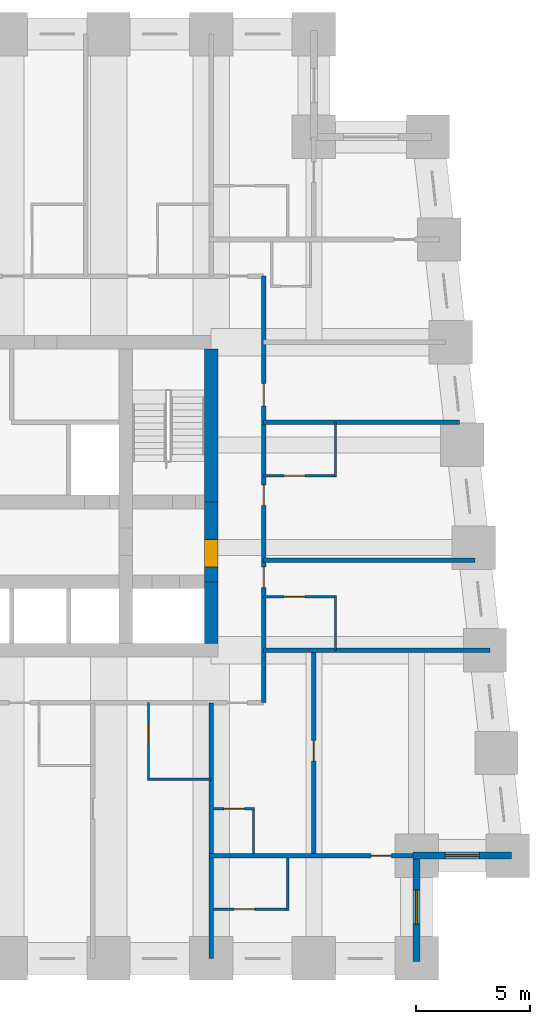
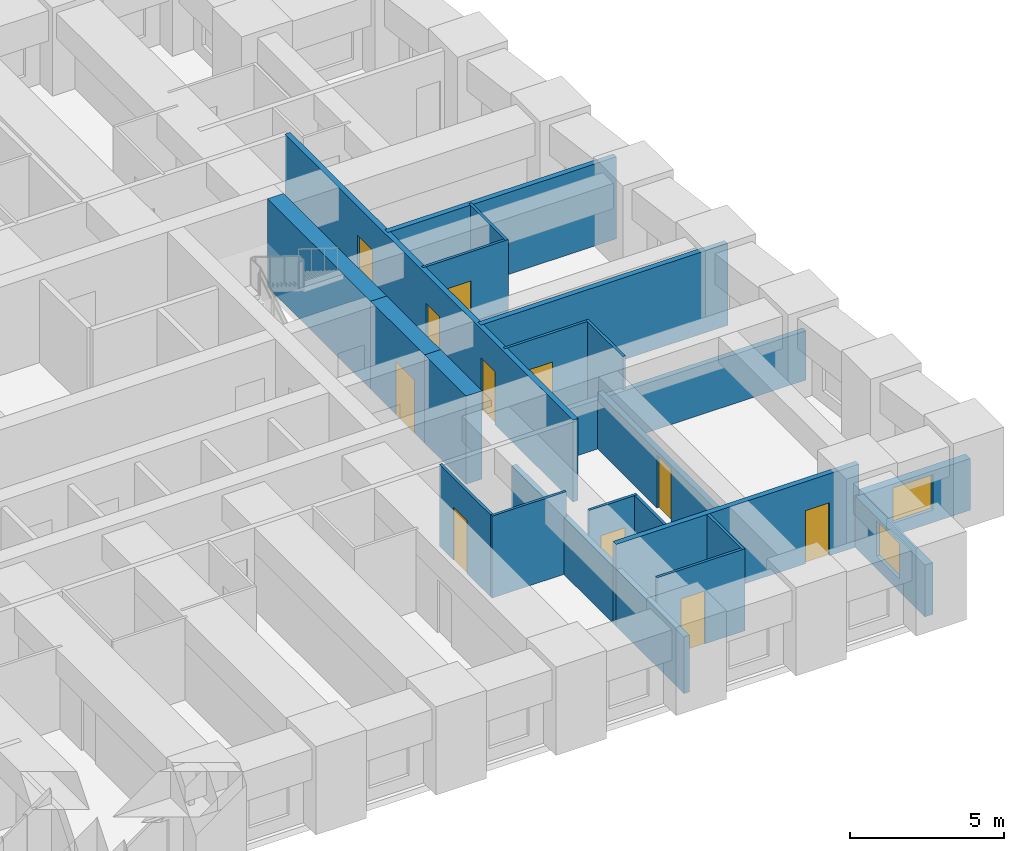
# One storey, part 5 of 8: 22 walls, 11 doors, 2 windows, 13 openings.
"""IFC4 building model written with IfcOpenShell, lengths in metres."""

from ifc_helpers import new_model, si_unit, direction, frame, frame_2d, origin, place, context, subcontext, project, spatial, rectangle, extrude, material, layer, layer_set, type_object, element, fill, save


model = new_model("IFC4")

# Units and contexts
model_context = context("Model", 3, precision=1e-05, world=origin(), true_north=direction((0.0, 1.0)))
body_context = subcontext(model_context, "Body", "Model", "MODEL_VIEW")
ifc_project = project(units=[si_unit("LENGTHUNIT", "METRE"), si_unit("AREAUNIT", "SQUARE_METRE"), si_unit("VOLUMEUNIT", "CUBIC_METRE"), si_unit("PLANEANGLEUNIT", "RADIAN"), si_unit("MASSUNIT", "GRAM", prefix="KILO")], contexts=[model_context])

# Site, building, storey
site_placement = place(None, origin())
site = spatial("IfcSite", under=ifc_project, at=site_placement, CompositionType="ELEMENT")
building_placement = place(site_placement, origin())
building = spatial("IfcBuilding", under=site, at=building_placement, Name="Kilele Tower Hotel", CompositionType="ELEMENT")
storey_placement = place(building_placement, frame((0.0, 0.0, 54.199951171875)))
storey = spatial("IfcBuildingStorey", under=building, at=storey_placement, Name="L12", CompositionType="ELEMENT", Elevation=54.199951171875)

# Wall
ifc_material_1 = material(Name="Moisture-resistant board")
ifc_layer_1 = layer(ifc_material_1, 0.10009765625)
ifc_layer_set_1 = layer_set([ifc_layer_1], Name="Moisture-resistant board")
wall_type_1 = type_object("IfcWallType", Name="Bathroom partition 100", PredefinedType="PLUMBINGWALL", material=ifc_layer_set_1)
wall_1_placement = place(storey_placement, frame((33.199951171875, 7.85009765625, 0.0), z_axis=(0.0, 0.0, 1.0), x_axis=(1.0, 0.0, 0.0)))
element("IfcWall", 1, at=wall_1_placement, inside=storey, type_object=wall_type_1, Name="Bathroom partition 100 L12", PredefinedType="PLUMBINGWALL", context=body_context, shape_type="SweptSolid", body=[
    extrude(rectangle(XDim=2.800048828125, YDim=0.10009765625, at=frame_2d((1.39990234375, 0.0))), origin(), (0.0, 0.0, 1.0), 3.25),
])

# Wall, opening, door
wall_2_placement = place(storey_placement, frame((33.25, 11.199951171875, 0.0), z_axis=(0.0, 0.0, 1.0), x_axis=(0.0, -1.0, 0.0)))
wall_2 = element("IfcWall", 2, at=wall_2_placement, inside=storey, type_object=wall_type_1, Name="Bathroom partition 100 L12", PredefinedType="PLUMBINGWALL", context=body_context, shape_type="SweptSolid", body=[
    extrude(rectangle(XDim=3.39990234375, YDim=0.10009765625, at=frame_2d((1.699951171875, 0.0))), origin(), (0.0, 0.0, 1.0), 3.25),
])
opening_1_placement = place(wall_2_placement, frame((1.7998046875, 0.0, 0.0), z_axis=(0.0, 0.0, 1.0), x_axis=(-1.0, 0.0, 0.0)))
opening_1 = element("IfcOpeningElement", 3, at=opening_1_placement, cuts=wall_2, Name="Opening D2A", PredefinedType="OPENING", context=body_context, shape_type="SweptSolid", body=[
    extrude(rectangle(XDim=0.89990234375, YDim=2.10009765625, at=frame_2d((0.449951171875, 1.050048828125))), frame((0.0, 0.06005859375, 0.0), z_axis=(0.0, -1.0, 0.0), x_axis=(1.0, 0.0, 0.0)), (0.0, 0.0, 1.0), 0.1201171875),
])
ifc_material_2 = material(Name="Timber door leaf in hardwood frame", Category="wood")
door_type_1 = type_object("IfcDoorType", Name="Bathroom door 900", OperationType="SINGLE_SWING_LEFT", PredefinedType="DOOR", material=ifc_material_2)
door_1_placement = place(opening_1_placement, origin())
door_1 = element("IfcDoor", 4, at=door_1_placement, inside=storey, type_object=door_type_1, Name="Bathroom door 1205B", OperationType="SINGLE_SWING_RIGHT", OverallHeight=2.10009765625, OverallWidth=0.89990234375, PredefinedType="DOOR", context=body_context, shape_type="SweptSolid", body=[
    extrude(rectangle(XDim=0.89990234375, YDim=2.10009765625, at=frame_2d((0.449951171875, 1.050048828125))), frame((0.0, 0.02490234375, 0.0), z_axis=(0.0, -1.0, 0.0), x_axis=(1.0, 0.0, 0.0)), (0.0, 0.0, 1.0), 0.050048828125),
])
fill(opening_1, door_1)

# Wall
wall_3_placement = place(storey_placement, frame((41.449951171875, 13.5, 0.0), z_axis=(0.0, 0.0, 1.0), x_axis=(0.0, 1.0, 0.0)))
element("IfcWall", 5, at=wall_3_placement, inside=storey, type_object=wall_type_1, Name="Bathroom partition 100 L12", PredefinedType="PLUMBINGWALL", context=body_context, shape_type="SweptSolid", body=[
    extrude(rectangle(XDim=2.39990234375, YDim=0.10009765625, at=frame_2d((1.199951171875, 0.0))), origin(), (0.0, 0.0, 1.0), 3.25),
])

# Wall, opening, door
wall_4_placement = place(storey_placement, frame((38.300048828125, 15.85009765625, 0.0), z_axis=(0.0, 0.0, 1.0), x_axis=(1.0, 0.0, 0.0)))
wall_4 = element("IfcWall", 6, at=wall_4_placement, inside=storey, type_object=wall_type_1, Name="Bathroom partition 100 L12", PredefinedType="PLUMBINGWALL", context=body_context, shape_type="SweptSolid", body=[
    extrude(rectangle(XDim=3.199951171875, YDim=0.10009765625, at=frame_2d((1.60009765625, 0.0))), origin(), (0.0, 0.0, 1.0), 3.25),
])
opening_2_placement = place(wall_4_placement, frame((0.89990234375, 0.0, 0.0)))
opening_2 = element("IfcOpeningElement", 7, at=opening_2_placement, cuts=wall_4, Name="Opening D2A", PredefinedType="OPENING", context=body_context, shape_type="SweptSolid", body=[
    extrude(rectangle(XDim=0.89990234375, YDim=2.10009765625, at=frame_2d((0.449951171875, 1.050048828125))), frame((0.0, 0.06005859375, 0.0), z_axis=(0.0, -1.0, 0.0), x_axis=(1.0, 0.0, 0.0)), (0.0, 0.0, 1.0), 0.1201171875),
])
door_2_placement = place(opening_2_placement, origin())
door_2 = element("IfcDoor", 8, at=door_2_placement, inside=storey, type_object=door_type_1, Name="Bathroom door 1206B", OperationType="SINGLE_SWING_LEFT", OverallHeight=2.10009765625, OverallWidth=0.89990234375, PredefinedType="DOOR", context=body_context, shape_type="SweptSolid", body=[
    extrude(rectangle(XDim=0.89990234375, YDim=2.10009765625, at=frame_2d((0.449951171875, 1.050048828125))), frame((0.0, 0.02490234375, 0.0), z_axis=(0.0, -1.0, 0.0), x_axis=(1.0, 0.0, 0.0)), (0.0, 0.0, 1.0), 0.050048828125),
])
fill(opening_2, door_2)

# Wall
wall_5_placement = place(storey_placement, frame((41.449951171875, 21.10009765625, 0.0), z_axis=(0.0, 0.0, 1.0), x_axis=(0.0, 1.0, 0.0)))
element("IfcWall", 9, at=wall_5_placement, inside=storey, type_object=wall_type_1, Name="Bathroom partition 100 L12", PredefinedType="PLUMBINGWALL", context=body_context, shape_type="SweptSolid", body=[
    extrude(rectangle(XDim=2.39990234375, YDim=0.10009765625, at=frame_2d((1.199951171875, 0.0))), origin(), (0.0, 0.0, 1.0), 3.25),
])

# Wall, opening, door
wall_6_placement = place(storey_placement, frame((38.300048828125, 21.14990234375, 0.0), z_axis=(0.0, 0.0, 1.0), x_axis=(1.0, 0.0, 0.0)))
wall_6 = element("IfcWall", 10, at=wall_6_placement, inside=storey, type_object=wall_type_1, Name="Bathroom partition 100 L12", PredefinedType="PLUMBINGWALL", context=body_context, shape_type="SweptSolid", body=[
    extrude(rectangle(XDim=3.199951171875, YDim=0.10009765625, at=frame_2d((1.60009765625, 0.0))), origin(), (0.0, 0.0, 1.0), 3.25),
])
opening_3_placement = place(wall_6_placement, frame((1.7998046875, 0.0, 0.0), z_axis=(0.0, 0.0, 1.0), x_axis=(-1.0, 0.0, 0.0)))
opening_3 = element("IfcOpeningElement", 11, at=opening_3_placement, cuts=wall_6, Name="Opening D2A", PredefinedType="OPENING", context=body_context, shape_type="SweptSolid", body=[
    extrude(rectangle(XDim=0.89990234375, YDim=2.10009765625, at=frame_2d((0.449951171875, 1.050048828125))), frame((0.0, 0.06005859375, 0.0), z_axis=(0.0, -1.0, 0.0), x_axis=(1.0, 0.0, 0.0)), (0.0, 0.0, 1.0), 0.1201171875),
])
door_3_placement = place(opening_3_placement, origin())
door_3 = element("IfcDoor", 12, at=door_3_placement, inside=storey, type_object=door_type_1, Name="Bathroom door 1207B", OperationType="SINGLE_SWING_RIGHT", OverallHeight=2.10009765625, OverallWidth=0.89990234375, PredefinedType="DOOR", context=body_context, shape_type="SweptSolid", body=[
    extrude(rectangle(XDim=0.89990234375, YDim=2.10009765625, at=frame_2d((0.449951171875, 1.050048828125))), frame((0.0, 0.02490234375, 0.0), z_axis=(0.0, -1.0, 0.0), x_axis=(1.0, 0.0, 0.0)), (0.0, 0.0, 1.0), 0.050048828125),
])
fill(opening_3, door_3)

# Wall
wall_7_placement = place(storey_placement, frame((37.85009765625, 4.60009765625, 0.0), z_axis=(0.0, 0.0, 1.0), x_axis=(0.0, 1.0, 0.0)))
element("IfcWall", 13, at=wall_7_placement, inside=storey, type_object=wall_type_1, Name="Bathroom partition 100 L12", PredefinedType="PLUMBINGWALL", context=body_context, shape_type="SweptSolid", body=[
    extrude(rectangle(XDim=2.0, YDim=0.10009765625, at=frame_2d((1.0, 0.0))), origin(), (0.0, 0.0, 1.0), 3.25),
])

# Wall, opening, door
wall_8_placement = place(storey_placement, frame((36.10009765625, 6.550048828125, 0.0), z_axis=(0.0, 0.0, 1.0), x_axis=(1.0, 0.0, 0.0)))
wall_8 = element("IfcWall", 14, at=wall_8_placement, inside=storey, type_object=wall_type_1, Name="Bathroom partition 100 L12", PredefinedType="PLUMBINGWALL", context=body_context, shape_type="SweptSolid", body=[
    extrude(rectangle(XDim=1.7998046875, YDim=0.10009765625, at=frame_2d((0.89990234375, 0.0))), origin(), (0.0, 0.0, 1.0), 3.25),
])
opening_4_placement = place(wall_8_placement, frame((0.449951171875, 0.0, 0.0)))
opening_4 = element("IfcOpeningElement", 15, at=opening_4_placement, cuts=wall_8, Name="Opening D2A", PredefinedType="OPENING", context=body_context, shape_type="SweptSolid", body=[
    extrude(rectangle(XDim=0.89990234375, YDim=2.10009765625, at=frame_2d((0.449951171875, 1.050048828125))), frame((0.0, 0.06005859375, 0.0), z_axis=(0.0, -1.0, 0.0), x_axis=(1.0, 0.0, 0.0)), (0.0, 0.0, 1.0), 0.1201171875),
])
door_4_placement = place(opening_4_placement, origin())
door_4 = element("IfcDoor", 16, at=door_4_placement, inside=storey, type_object=door_type_1, Name="Bathroom door 1220P", OperationType="SINGLE_SWING_LEFT", OverallHeight=2.10009765625, OverallWidth=0.89990234375, PredefinedType="DOOR", context=body_context, shape_type="SweptSolid", body=[
    extrude(rectangle(XDim=0.89990234375, YDim=2.10009765625, at=frame_2d((0.449951171875, 1.050048828125))), frame((0.0, 0.02490234375, 0.0), z_axis=(0.0, -1.0, 0.0), x_axis=(1.0, 0.0, 0.0)), (0.0, 0.0, 1.0), 0.050048828125),
])
fill(opening_4, door_4)

# Wall
wall_9_placement = place(storey_placement, frame((39.35009765625, 4.39990234375, 0.0), z_axis=(0.0, 0.0, 1.0), x_axis=(0.0, -1.0, 0.0)))
element("IfcWall", 17, at=wall_9_placement, inside=storey, type_object=wall_type_1, Name="Bathroom partition 100 L12", PredefinedType="PLUMBINGWALL", context=body_context, shape_type="SweptSolid", body=[
    extrude(rectangle(XDim=2.2998046875, YDim=0.10009765625, at=frame_2d((1.14990234375, 0.0))), origin(), (0.0, 0.0, 1.0), 3.25),
])

# Wall, opening, door
wall_10_placement = place(storey_placement, frame((36.10009765625, 2.14990234375, 0.0), z_axis=(0.0, 0.0, 1.0), x_axis=(1.0, 0.0, 0.0)))
wall_10 = element("IfcWall", 18, at=wall_10_placement, inside=storey, type_object=wall_type_1, Name="Bathroom partition 100 L12", PredefinedType="PLUMBINGWALL", context=body_context, shape_type="SweptSolid", body=[
    extrude(rectangle(XDim=3.2998046875, YDim=0.10009765625, at=frame_2d((1.64990234375, 0.0))), origin(), (0.0, 0.0, 1.0), 3.25),
])
opening_5_placement = place(wall_10_placement, frame((1.7998046875, 0.0, 0.0), z_axis=(0.0, 0.0, 1.0), x_axis=(-1.0, 0.0, 0.0)))
opening_5 = element("IfcOpeningElement", 19, at=opening_5_placement, cuts=wall_10, Name="Opening D2A", PredefinedType="OPENING", context=body_context, shape_type="SweptSolid", body=[
    extrude(rectangle(XDim=0.89990234375, YDim=2.10009765625, at=frame_2d((0.449951171875, 1.050048828125))), frame((0.0, 0.06005859375, 0.0), z_axis=(0.0, -1.0, 0.0), x_axis=(1.0, 0.0, 0.0)), (0.0, 0.0, 1.0), 0.1201171875),
])
door_5_placement = place(opening_5_placement, origin())
door_5 = element("IfcDoor", 20, at=door_5_placement, inside=storey, type_object=door_type_1, Name="Bathroom door 1222B", OperationType="SINGLE_SWING_RIGHT", OverallHeight=2.10009765625, OverallWidth=0.89990234375, PredefinedType="DOOR", context=body_context, shape_type="SweptSolid", body=[
    extrude(rectangle(XDim=0.89990234375, YDim=2.10009765625, at=frame_2d((0.449951171875, 1.050048828125))), frame((0.0, 0.02490234375, 0.0), z_axis=(0.0, -1.0, 0.0), x_axis=(1.0, 0.0, 0.0)), (0.0, 0.0, 1.0), 0.050048828125),
])
fill(opening_5, door_5)

# Wall
ifc_material_3 = material(Name="Concrete C60/75", Category="concrete")
ifc_layer_2 = layer(ifc_material_3, 0.60009765625)
ifc_layer_set_2 = layer_set([ifc_layer_2], Name="Concrete C60/75")
wall_type_2 = type_object("IfcWallType", Name="Core wall 600 C60/75", PredefinedType="SHEAR", material=ifc_layer_set_2)
wall_11_placement = place(storey_placement, frame((36.0, 13.800048828125, 0.0), z_axis=(0.0, 0.0, 1.0), x_axis=(0.0, 1.0, 0.0)))
element("IfcWall", 21, at=wall_11_placement, inside=storey, type_object=wall_type_2, Name="Core wall E1 L12", PredefinedType="SHEAR", context=body_context, shape_type="SweptSolid", body=[
    extrude(rectangle(XDim=2.699951171875, YDim=0.60009765625, at=frame_2d((1.35009765625, 0.0))), origin(), (0.0, 0.0, 1.0), 3.5),
])

# Wall, opening, door
wall_12_placement = place(storey_placement, frame((36.0, 16.5, 0.0), z_axis=(0.0, 0.0, 1.0), x_axis=(0.0, 1.0, 0.0)))
wall_12 = element("IfcWall", 22, at=wall_12_placement, inside=storey, type_object=wall_type_2, Name="Core wall E2 L12", PredefinedType="SHEAR", context=body_context, shape_type="SweptSolid", body=[
    extrude(rectangle(XDim=3.5, YDim=0.60009765625, at=frame_2d((1.75, 0.0))), origin(), (0.0, 0.0, 1.0), 3.5),
])
opening_6_placement = place(wall_12_placement, frame((0.64990234375, 0.0, 0.0)))
opening_6 = element("IfcOpeningElement", 23, at=opening_6_placement, cuts=wall_12, Name="Opening D4", PredefinedType="OPENING", context=body_context, shape_type="SweptSolid", body=[
    extrude(rectangle(XDim=1.199951171875, YDim=2.10009765625, at=frame_2d((0.60009765625, 1.050048828125))), frame((0.0, 0.31005859375, 0.0), z_axis=(0.0, -1.0, 0.0), x_axis=(1.0, 0.0, 0.0)), (0.0, 0.0, 1.0), 0.6201171875),
])
ifc_material_4 = material(Name="Timber door leaf in hardwood frame", Category="wood")
door_type_2 = type_object("IfcDoorType", Name="Firefighting lobby door 1200", OperationType="SINGLE_SWING_LEFT", PredefinedType="DOOR", material=ifc_material_4)
door_6_placement = place(opening_6_placement, origin())
door_6 = element("IfcDoor", 24, at=door_6_placement, inside=storey, type_object=door_type_2, Name="Lobby door L12", OperationType="SINGLE_SWING_LEFT", OverallHeight=2.10009765625, OverallWidth=1.199951171875, PredefinedType="DOOR", context=body_context, shape_type="SweptSolid", body=[
    extrude(rectangle(XDim=1.199951171875, YDim=2.10009765625, at=frame_2d((0.60009765625, 1.050048828125))), frame((0.0, 0.2998046875, 0.0), z_axis=(0.0, -1.0, 0.0), x_axis=(1.0, 0.0, 0.0)), (0.0, 0.0, 1.0), 0.599609375),
])
fill(opening_6, door_6)

# Wall
wall_13_placement = place(storey_placement, frame((36.0, 20.0, 0.0), z_axis=(0.0, 0.0, 1.0), x_axis=(0.0, 1.0, 0.0)))
element("IfcWall", 25, at=wall_13_placement, inside=storey, type_object=wall_type_2, Name="Core wall E3 L12", PredefinedType="SHEAR", context=body_context, shape_type="SweptSolid", body=[
    extrude(rectangle(XDim=6.699951171875, YDim=0.60009765625, at=frame_2d((3.35009765625, 0.0))), origin(), (0.0, 0.0, 1.0), 3.5),
])

# Wall, openings, doors
ifc_material_5 = material(Name="Blockwork, plastered both sides", Category="masonry")
ifc_layer_3 = layer(ifc_material_5, 0.199951171875)
ifc_layer_set_3 = layer_set([ifc_layer_3], Name="Blockwork, plastered both sides")
wall_type_3 = type_object("IfcWallType", Name="Corridor wall 200", PredefinedType="PARTITIONING", material=ifc_layer_set_3)
wall_14_placement = place(storey_placement, frame((38.300048828125, 11.199951171875, 0.0), z_axis=(0.0, 0.0, 1.0), x_axis=(0.0, 1.0, 0.0)))
wall_14 = element("IfcWall", 26, at=wall_14_placement, inside=storey, type_object=wall_type_3, Name="Corridor wall 200 L12", PredefinedType="PARTITIONING", context=body_context, shape_type="SweptSolid", body=[
    extrude(rectangle(XDim=18.699951171875, YDim=0.199951171875, at=frame_2d((9.35009765625, 0.0))), origin(), (0.0, 0.0, 1.0), 3.25),
])
opening_7_placement = place(wall_14_placement, frame((5.949951171875, 0.0, 0.0), z_axis=(0.0, 0.0, 1.0), x_axis=(-1.0, 0.0, 0.0)))
opening_7 = element("IfcOpeningElement", 27, at=opening_7_placement, cuts=wall_14, Name="Opening D1", PredefinedType="OPENING", context=body_context, shape_type="SweptSolid", body=[
    extrude(rectangle(XDim=0.89990234375, YDim=2.10009765625, at=frame_2d((0.449951171875, 1.050048828125))), frame((0.0, 0.10986328125, 0.0), z_axis=(0.0, -1.0, 0.0), x_axis=(1.0, 0.0, 0.0)), (0.0, 0.0, 1.0), 0.219970703125),
])
opening_8_placement = place(wall_14_placement, frame((9.5498046875, 0.0, 0.0), z_axis=(0.0, 0.0, 1.0), x_axis=(-1.0, 0.0, 0.0)))
opening_8 = element("IfcOpeningElement", 28, at=opening_8_placement, cuts=wall_14, Name="Opening D1", PredefinedType="OPENING", context=body_context, shape_type="SweptSolid", body=[
    extrude(rectangle(XDim=0.89990234375, YDim=2.10009765625, at=frame_2d((0.449951171875, 1.050048828125))), frame((0.0, 0.10986328125, 0.0), z_axis=(0.0, -1.0, 0.0), x_axis=(1.0, 0.0, 0.0)), (0.0, 0.0, 1.0), 0.219970703125),
])
opening_9_placement = place(wall_14_placement, frame((14.0, 0.0, 0.0), z_axis=(0.0, 0.0, 1.0), x_axis=(-1.0, 0.0, 0.0)))
opening_9 = element("IfcOpeningElement", 29, at=opening_9_placement, cuts=wall_14, Name="Opening D8", PredefinedType="OPENING", context=body_context, shape_type="SweptSolid", body=[
    extrude(rectangle(XDim=1.0, YDim=2.10009765625, at=frame_2d((0.5, 1.050048828125))), frame((0.0, 0.10986328125, 0.0), z_axis=(0.0, -1.0, 0.0), x_axis=(1.0, 0.0, 0.0)), (0.0, 0.0, 1.0), 0.219970703125),
])
ifc_material_6 = material(Name="Timber door leaf in hardwood frame", Category="wood")
door_type_3 = type_object("IfcDoorType", Name="Door 1000", OperationType="SINGLE_SWING_LEFT", PredefinedType="DOOR", material=ifc_material_6)
door_7_placement = place(opening_9_placement, origin())
door_7 = element("IfcDoor", 30, at=door_7_placement, inside=storey, type_object=door_type_3, Name="Room entrance 1208", OperationType="SINGLE_SWING_RIGHT", OverallHeight=2.10009765625, OverallWidth=1.0, PredefinedType="DOOR", context=body_context, shape_type="SweptSolid", body=[
    extrude(rectangle(XDim=1.0, YDim=2.10009765625, at=frame_2d((0.5, 1.050048828125))), frame((0.0, 0.02490234375, 0.0), z_axis=(0.0, -1.0, 0.0), x_axis=(1.0, 0.0, 0.0)), (0.0, 0.0, 1.0), 0.050048828125),
])
fill(opening_9, door_7)
ifc_material_7 = material(Name="Timber door leaf in hardwood frame", Category="wood")
door_type_4 = type_object("IfcDoorType", Name="Guest room entrance door 900", OperationType="SINGLE_SWING_LEFT", PredefinedType="DOOR", material=ifc_material_7)
door_8_placement = place(opening_7_placement, origin())
door_8 = element("IfcDoor", 31, at=door_8_placement, inside=storey, type_object=door_type_4, Name="Room entrance 1206", OperationType="SINGLE_SWING_LEFT", OverallHeight=2.10009765625, OverallWidth=0.89990234375, PredefinedType="DOOR", context=body_context, shape_type="SweptSolid", body=[
    extrude(rectangle(XDim=0.89990234375, YDim=2.10009765625, at=frame_2d((0.449951171875, 1.050048828125))), frame((0.0, 0.02490234375, 0.0), z_axis=(0.0, -1.0, 0.0), x_axis=(1.0, 0.0, 0.0)), (0.0, 0.0, 1.0), 0.050048828125),
])
fill(opening_7, door_8)
door_9_placement = place(opening_8_placement, origin())
door_9 = element("IfcDoor", 32, at=door_9_placement, inside=storey, type_object=door_type_4, Name="Room entrance 1207", OperationType="SINGLE_SWING_LEFT", OverallHeight=2.10009765625, OverallWidth=0.89990234375, PredefinedType="DOOR", context=body_context, shape_type="SweptSolid", body=[
    extrude(rectangle(XDim=0.89990234375, YDim=2.10009765625, at=frame_2d((0.449951171875, 1.050048828125))), frame((0.0, 0.02490234375, 0.0), z_axis=(0.0, -1.0, 0.0), x_axis=(1.0, 0.0, 0.0)), (0.0, 0.0, 1.0), 0.050048828125),
])
fill(opening_8, door_9)

# Wall, opening, door
ifc_material_8 = material(Name="Blockwork, plastered both sides", Category="masonry")
ifc_layer_4 = layer(ifc_material_8, 0.199951171875)
ifc_layer_set_4 = layer_set([ifc_layer_4], Name="Blockwork, plastered both sides")
wall_type_4 = type_object("IfcWallType", Name="Partition wall 200", PredefinedType="PARTITIONING", material=ifc_layer_set_4)
wall_15_placement = place(storey_placement, frame((40.5, 4.60009765625, 0.0), z_axis=(0.0, 0.0, 1.0), x_axis=(0.0, 1.0, 0.0)))
wall_15 = element("IfcWall", 33, at=wall_15_placement, inside=storey, type_object=wall_type_4, Name="Partition wall 200 L12", PredefinedType="PARTITIONING", context=body_context, shape_type="SweptSolid", body=[
    extrude(rectangle(XDim=8.7998046875, YDim=0.199951171875, at=frame_2d((4.39990234375, 0.0))), origin(), (0.0, 0.0, 1.0), 2.25),
])
opening_10_placement = place(wall_15_placement, frame((4.050048828125, 0.0, 0.0)))
opening_10 = element("IfcOpeningElement", 34, at=opening_10_placement, cuts=wall_15, Name="Opening D3", PredefinedType="OPENING", context=body_context, shape_type="SweptSolid", body=[
    extrude(rectangle(XDim=0.89990234375, YDim=2.10009765625, at=frame_2d((0.449951171875, 1.050048828125))), frame((0.0, 0.10986328125, 0.0), z_axis=(0.0, -1.0, 0.0), x_axis=(1.0, 0.0, 0.0)), (0.0, 0.0, 1.0), 0.219970703125),
])
ifc_material_9 = material(Name="Timber door leaf in hardwood frame", Category="wood")
door_type_5 = type_object("IfcDoorType", Name="Suite internal door 900", OperationType="SINGLE_SWING_LEFT", PredefinedType="DOOR", material=ifc_material_9)
door_10_placement = place(opening_10_placement, origin())
door_10 = element("IfcDoor", 35, at=door_10_placement, inside=storey, type_object=door_type_5, Name="Suite door 1221", OperationType="SINGLE_SWING_RIGHT", OverallHeight=2.10009765625, OverallWidth=0.89990234375, PredefinedType="DOOR", context=body_context, shape_type="SweptSolid", body=[
    extrude(rectangle(XDim=0.89990234375, YDim=2.10009765625, at=frame_2d((0.449951171875, 1.050048828125))), frame((0.0, 0.02490234375, 0.0), z_axis=(0.0, -1.0, 0.0), x_axis=(1.0, 0.0, 0.0)), (0.0, 0.0, 1.0), 0.050048828125),
])
fill(opening_10, door_10)

# Walls
ifc_material_10 = material(Name="Blockwork, plastered both sides", Category="masonry")
ifc_layer_5 = layer(ifc_material_10, 0.199951171875)
ifc_layer_set_5 = layer_set([ifc_layer_5], Name="Blockwork, plastered both sides")
wall_type_5 = type_object("IfcWallType", Name="Party wall 200", PredefinedType="PARTITIONING", material=ifc_layer_set_5)
wall_16_placement = place(storey_placement, frame((38.300048828125, 17.449951171875, 0.0), z_axis=(0.0, 0.0, 1.0), x_axis=(1.0, 0.0, 0.0)))
element("IfcWall", 36, at=wall_16_placement, inside=storey, type_object=wall_type_5, Name="Party wall 200 L12", PredefinedType="PARTITIONING", context=body_context, shape_type="SweptSolid", body=[
    extrude(rectangle(XDim=9.26025390625, YDim=0.199951171875, at=frame_2d((4.630126953125, 0.0))), origin(), (0.0, 0.0, 1.0), 3.25),
])
wall_17_placement = place(storey_placement, frame((38.300048828125, 23.5, 0.0), z_axis=(0.0, 0.0, 1.0), x_axis=(1.0, 0.0, 0.0)))
element("IfcWall", 37, at=wall_17_placement, inside=storey, type_object=wall_type_5, Name="Party wall 200 L12", PredefinedType="PARTITIONING", context=body_context, shape_type="SweptSolid", body=[
    extrude(rectangle(XDim=8.587890625, YDim=0.199951171875, at=frame_2d((4.2939453125, 0.0))), origin(), (0.0, 0.0, 1.0), 3.25),
])
wall_18_placement = place(storey_placement, frame((38.300048828125, 13.5, 0.0), z_axis=(0.0, 0.0, 1.0), x_axis=(1.0, 0.0, 0.0)))
element("IfcWall", 38, at=wall_18_placement, inside=storey, type_object=wall_type_5, Name="Party wall 200 L12", PredefinedType="PARTITIONING", context=body_context, shape_type="SweptSolid", body=[
    extrude(rectangle(XDim=9.921142578125, YDim=0.199951171875, at=frame_2d((4.96044921875, 0.0))), origin(), (0.0, 0.0, 1.0), 1.949951171875),
])
wall_19_placement = place(storey_placement, frame((36.0, 11.199951171875, 0.0), z_axis=(0.0, 0.0, 1.0), x_axis=(0.0, -1.0, 0.0)))
element("IfcWall", 39, at=wall_19_placement, inside=storey, type_object=wall_type_5, Name="Party wall 200 L12", PredefinedType="PARTITIONING", context=body_context, shape_type="SweptSolid", body=[
    extrude(rectangle(XDim=11.199951171875, YDim=0.199951171875, at=frame_2d((5.60009765625, 0.0))), origin(), (0.0, 0.0, 1.0), 2.25),
])

# Wall, opening, door
wall_20_placement = place(storey_placement, frame((35.89990234375, 4.5, 0.0), z_axis=(0.0, 0.0, 1.0), x_axis=(1.0, 0.0, 0.0)))
wall_20 = element("IfcWall", 40, at=wall_20_placement, inside=storey, type_object=wall_type_5, Name="Party wall 200 L12", PredefinedType="PARTITIONING", context=body_context, shape_type="SweptSolid", body=[
    extrude(rectangle(XDim=9.10009765625, YDim=0.199951171875, at=frame_2d((4.550048828125, 0.0))), origin(), (0.0, 0.0, 1.0), 3.25),
])
opening_11_placement = place(wall_20_placement, frame((7.10009765625, 0.0, 0.0)))
opening_11 = element("IfcOpeningElement", 41, at=opening_11_placement, cuts=wall_20, Name="Opening D3", PredefinedType="OPENING", context=body_context, shape_type="SweptSolid", body=[
    extrude(rectangle(XDim=0.89990234375, YDim=2.10009765625, at=frame_2d((0.449951171875, 1.050048828125))), frame((0.0, 0.10986328125, 0.0), z_axis=(0.0, -1.0, 0.0), x_axis=(1.0, 0.0, 0.0)), (0.0, 0.0, 1.0), 0.219970703125),
])
door_11_placement = place(opening_11_placement, origin())
door_11 = element("IfcDoor", 42, at=door_11_placement, inside=storey, type_object=door_type_5, Name="Suite door 1222", OperationType="SINGLE_SWING_RIGHT", OverallHeight=2.10009765625, OverallWidth=0.89990234375, PredefinedType="DOOR", context=body_context, shape_type="SweptSolid", body=[
    extrude(rectangle(XDim=0.89990234375, YDim=2.10009765625, at=frame_2d((0.449951171875, 1.050048828125))), frame((0.0, 0.02490234375, 0.0), z_axis=(0.0, -1.0, 0.0), x_axis=(1.0, 0.0, 0.0)), (0.0, 0.0, 1.0), 0.050048828125),
])
fill(opening_11, door_11)

# Wall, opening, window
ifc_material_11 = material(Name="Concrete C40/50 precast", Category="concrete")
ifc_layer_6 = layer(ifc_material_11, 0.260009765625, Name="Precast backing", Category="LoadBearing")
ifc_material_12 = material(Name="Reconstituted stone finish", Category="masonry")
ifc_layer_7 = layer(ifc_material_12, 0.0400390625, Name="Face mix", Category="Finish")
ifc_layer_set_6 = layer_set([ifc_layer_6, ifc_layer_7], Name="Precast concrete C40/50, reconstituted stone finish")
wall_type_6 = type_object("IfcWallType", Name="Precast stone facade wall 300", PredefinedType="STANDARD", material=ifc_layer_set_6)
wall_21_placement = place(storey_placement, frame((45.0, -0.14990234375, 0.0), z_axis=(0.0, 0.0, 1.0), x_axis=(0.0, 1.0, 0.0)))
wall_21 = element("IfcWall", 43, at=wall_21_placement, inside=storey, type_object=wall_type_6, Name="Facade wall L12 edge 4", PredefinedType="STANDARD", context=body_context, shape_type="SweptSolid", body=[
    extrude(rectangle(XDim=4.7998046875, YDim=0.300048828125, at=frame_2d((2.39990234375, 0.0))), origin(), (0.0, 0.0, 1.0), 2.050048828125),
])
opening_12_placement = place(wall_21_placement, frame((1.64990234375, 0.0, 0.5)))
opening_12 = element("IfcOpeningElement", 44, at=opening_12_placement, cuts=wall_21, Name="Opening W1", PredefinedType="OPENING", context=body_context, shape_type="SweptSolid", body=[
    extrude(rectangle(XDim=1.5, YDim=1.39990234375, at=frame_2d((0.75, 0.699951171875))), frame((0.0, 0.159912109375, 0.0), z_axis=(0.0, -1.0, 0.0), x_axis=(1.0, 0.0, 0.0)), (0.0, 0.0, 1.0), 0.320068359375),
])
ifc_material_13 = material(Name="Aluminium frame, clear double glazing", Category="aluminium")
window_type = type_object("IfcWindowType", Name="Window W1 1500 x 1400", PartitioningType="SINGLE_PANEL", PredefinedType="WINDOW", material=ifc_material_13)
window_1_placement = place(opening_12_placement, origin())
window_1 = element("IfcWindow", 45, at=window_1_placement, inside=storey, type_object=window_type, Name="Window L12", OverallHeight=1.39990234375, OverallWidth=1.5, PartitioningType="SINGLE_PANEL", PredefinedType="WINDOW", context=body_context, shape_type="SweptSolid", body=[
    extrude(rectangle(XDim=1.5, YDim=1.39990234375, at=frame_2d((0.75, 0.699951171875))), frame((0.0, 0.030029296875, 0.0), z_axis=(0.0, -1.0, 0.0), x_axis=(1.0, 0.0, 0.0)), (0.0, 0.0, 1.0), 0.06005859375),
])
fill(opening_12, window_1)

wall_22_placement = place(storey_placement, frame((44.85009765625, 4.5, 0.0), z_axis=(0.0, 0.0, 1.0), x_axis=(1.0, 0.0, 0.0)))
wall_22 = element("IfcWall", 46, at=wall_22_placement, inside=storey, type_object=wall_type_6, Name="Facade wall L12 edge 5", PredefinedType="STANDARD", context=body_context, shape_type="SweptSolid", body=[
    extrude(rectangle(XDim=4.2998046875, YDim=0.300048828125, at=frame_2d((2.14990234375, 0.0))), origin(), (0.0, 0.0, 1.0), 2.050048828125),
])
opening_13_placement = place(wall_22_placement, frame((1.39990234375, 0.0, 0.5)))
opening_13 = element("IfcOpeningElement", 47, at=opening_13_placement, cuts=wall_22, Name="Opening W1", PredefinedType="OPENING", context=body_context, shape_type="SweptSolid", body=[
    extrude(rectangle(XDim=1.5, YDim=1.39990234375, at=frame_2d((0.75, 0.699951171875))), frame((0.0, 0.159912109375, 0.0), z_axis=(0.0, -1.0, 0.0), x_axis=(1.0, 0.0, 0.0)), (0.0, 0.0, 1.0), 0.320068359375),
])
window_2_placement = place(opening_13_placement, origin())
window_2 = element("IfcWindow", 48, at=window_2_placement, inside=storey, type_object=window_type, Name="Window L12", OverallHeight=1.39990234375, OverallWidth=1.5, PartitioningType="SINGLE_PANEL", PredefinedType="WINDOW", context=body_context, shape_type="SweptSolid", body=[
    extrude(rectangle(XDim=1.5, YDim=1.39990234375, at=frame_2d((0.75, 0.699951171875))), frame((0.0, 0.030029296875, 0.0), z_axis=(0.0, -1.0, 0.0), x_axis=(1.0, 0.0, 0.0)), (0.0, 0.0, 1.0), 0.06005859375),
])
fill(opening_13, window_2)

save(model, "model.ifc")
